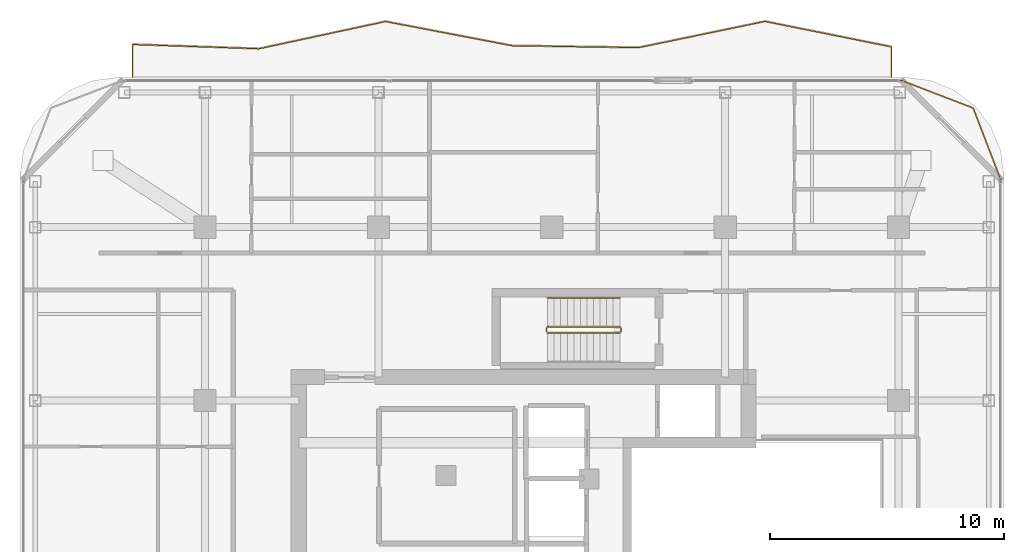
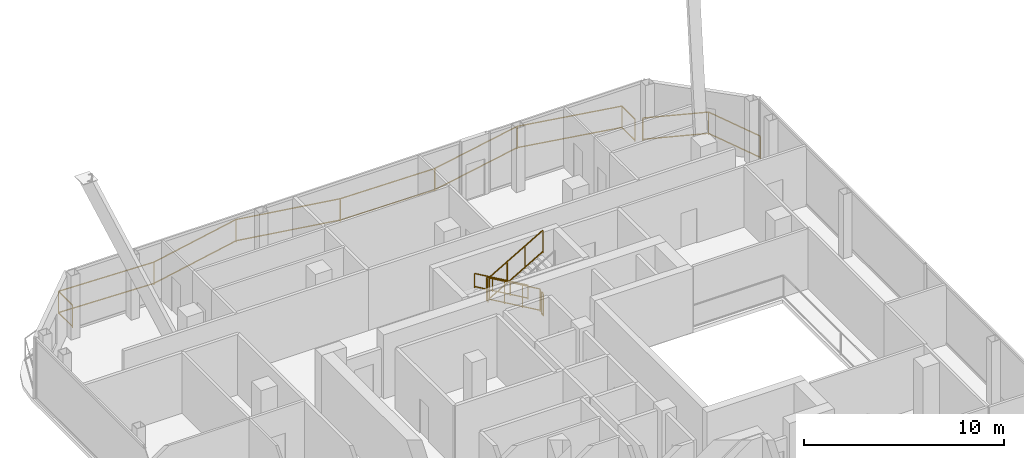
# One storey, part 24 of 24: 7 railings.
"""IFC4 building model written with IfcOpenShell, lengths in metres."""

from ifc_helpers import new_model, si_unit, direction, frame, origin, origin_2d, place, context, subcontext, project, spatial, rectangle, extrude, material, type_object, element, save


model = new_model("IFC4")

# Units and contexts
model_context = context("Model", 3, precision=1e-05, world=origin(), true_north=direction((0.0, 1.0)))
body_context = subcontext(model_context, "Body", "Model", "MODEL_VIEW")
ifc_project = project(units=[si_unit("LENGTHUNIT", "METRE"), si_unit("AREAUNIT", "SQUARE_METRE"), si_unit("VOLUMEUNIT", "CUBIC_METRE"), si_unit("PLANEANGLEUNIT", "RADIAN"), si_unit("MASSUNIT", "GRAM", prefix="KILO")], contexts=[model_context])

# Site, building, storey
site_placement = place(None, origin())
site = spatial("IfcSite", under=ifc_project, at=site_placement, CompositionType="ELEMENT")
building_placement = place(site_placement, origin())
building = spatial("IfcBuilding", under=site, at=building_placement, Name="Khorvyn Point Tower", CompositionType="ELEMENT")
storey_placement = place(building_placement, frame((0.0, 0.0, 301.5)))
storey = spatial("IfcBuildingStorey", under=building, at=storey_placement, Name="L74", CompositionType="ELEMENT", Elevation=301.5)

# Railings
ifc_material_1 = material(Name="Anodised aluminium 6063-T6 and laminated safety glass", Category="aluminium")
railing_type_1 = type_object("IfcRailingType", Name="Laminated Glass and Aluminium Balcony Guardrail 1400", PredefinedType="BALUSTRADE", material=ifc_material_1)
railing_1_placement = place(storey_placement, frame((19.17431640625, 16.78662109375, 0.0)))
element("IfcRailing", 1, at=railing_1_placement, inside=storey, type_object=railing_type_1, Name="L74 Rounded Corner Edge Guardrail NE", PredefinedType="BALUSTRADE", context=body_context, shape_type="SweptSolid", body=[
    extrude(rectangle(XDim=0.048095703125, YDim=0.048095703125, at=origin_2d()), frame((0.0, 0.0, 1.3759765625), z_axis=(-0.358328295484, 0.933595647299, 0.0), x_axis=(-0.933595647299, -0.358328295484, 0.0)), (0.0, 0.0, 1.0), 3.31884765625),
    extrude(rectangle(XDim=0.048095703125, YDim=0.048095703125, at=origin_2d()), frame((0.0, 0.0, 0.080078125), z_axis=(-0.358328295484, 0.933595647299, 0.0), x_axis=(-0.933595647299, -0.358328295484, 0.0)), (0.0, 0.0, 1.0), 3.31884765625),
    extrude(rectangle(XDim=0.048095703125, YDim=0.048095703125, at=origin_2d()), frame((-1.189208984375, 3.098388671875, 1.3759765625), z_axis=(-0.933580483903, 0.358367799998, 0.0), x_axis=(-0.358367799998, -0.933580483903, 0.0)), (0.0, 0.0, 1.0), 3.319091796875),
    extrude(rectangle(XDim=0.048095703125, YDim=0.048095703125, at=origin_2d()), frame((-1.189208984375, 3.098388671875, 0.080078125), z_axis=(-0.933580483903, 0.358367799998, 0.0), x_axis=(-0.358367799998, -0.933580483903, 0.0)), (0.0, 0.0, 1.0), 3.319091796875),
    extrude(rectangle(XDim=0.0419921875, YDim=0.0419921875, at=origin_2d()), origin(), (0.0, 0.0, 1.0), 1.351806640625),
    extrude(rectangle(XDim=0.0419921875, YDim=0.0419921875, at=origin_2d()), frame((-1.189208984375, 3.098388671875, 0.0)), (0.0, 0.0, 1.0), 1.351806640625),
    extrude(rectangle(XDim=0.0419921875, YDim=0.0419921875, at=origin_2d()), frame((-4.287841796875, 4.287841796875, 0.0)), (0.0, 0.0, 1.0), 1.351806640625),
])
railing_2_placement = place(storey_placement, frame((14.5, 21.199951171875, 0.0)))
element("IfcRailing", 2, at=railing_2_placement, inside=storey, type_object=railing_type_1, Name="L74 North Balcony Guardrail", PredefinedType="BALUSTRADE", context=body_context, shape_type="SweptSolid", body=[
    extrude(rectangle(XDim=0.048095703125, YDim=0.048095703125, at=origin_2d()), frame((0.0, 0.0, 1.3759765625), z_axis=(0.0, 1.0, 0.0), x_axis=(-1.0, 0.0, 0.0)), (0.0, 0.0, 1.0), 1.295166015625),
    extrude(rectangle(XDim=0.048095703125, YDim=0.048095703125, at=origin_2d()), frame((0.0, 0.0, 0.080078125), z_axis=(0.0, 1.0, 0.0), x_axis=(-1.0, 0.0, 0.0)), (0.0, 0.0, 1.0), 1.295166015625),
    extrude(rectangle(XDim=0.048095703125, YDim=0.048095703125, at=origin_2d()), frame((0.0, 1.295166015625, 1.3759765625), z_axis=(-0.980329281504, 0.197368943419, 0.0), x_axis=(-0.197368943419, -0.980329281504, 0.0)), (0.0, 0.0, 1.0), 5.50830078125),
    extrude(rectangle(XDim=0.048095703125, YDim=0.048095703125, at=origin_2d()), frame((0.0, 1.295166015625, 0.080078125), z_axis=(-0.980329281504, 0.197368943419, 0.0), x_axis=(-0.197368943419, -0.980329281504, 0.0)), (0.0, 0.0, 1.0), 5.50830078125),
    extrude(rectangle(XDim=0.048095703125, YDim=0.048095703125, at=origin_2d()), frame((-5.39990234375, 2.38232421875, 1.3759765625), z_axis=(-0.979175531991, -0.203015461355, 0.0), x_axis=(0.203015461355, -0.979175531991, 0.0)), (0.0, 0.0, 1.0), 5.514892578125),
    extrude(rectangle(XDim=0.048095703125, YDim=0.048095703125, at=origin_2d()), frame((-5.39990234375, 2.38232421875, 0.080078125), z_axis=(-0.979175531991, -0.203015461355, 0.0), x_axis=(0.203015461355, -0.979175531991, 0.0)), (0.0, 0.0, 1.0), 5.514892578125),
    extrude(rectangle(XDim=0.048095703125, YDim=0.048095703125, at=origin_2d()), frame((-10.800048828125, 1.2626953125, 1.3759765625), z_axis=(-0.999882564018, 0.015325083154, 0.0), x_axis=(-0.015325083154, -0.999882564018, 0.0)), (0.0, 0.0, 1.0), 5.400634765625),
    extrude(rectangle(XDim=0.048095703125, YDim=0.048095703125, at=origin_2d()), frame((-10.800048828125, 1.2626953125, 0.080078125), z_axis=(-0.999882564018, 0.015325083154, 0.0), x_axis=(-0.015325083154, -0.999882564018, 0.0)), (0.0, 0.0, 1.0), 5.400634765625),
    extrude(rectangle(XDim=0.048095703125, YDim=0.048095703125, at=origin_2d()), frame((-16.199951171875, 1.345458984375, 1.3759765625), z_axis=(-0.982184324224, 0.187920071437, 0.0), x_axis=(-0.187920071437, -0.982184324224, 0.0)), (0.0, 0.0, 1.0), 5.498046875),
    extrude(rectangle(XDim=0.048095703125, YDim=0.048095703125, at=origin_2d()), frame((-16.199951171875, 1.345458984375, 0.080078125), z_axis=(-0.982184324224, 0.187920071437, 0.0), x_axis=(-0.187920071437, -0.982184324224, 0.0)), (0.0, 0.0, 1.0), 5.498046875),
    extrude(rectangle(XDim=0.048095703125, YDim=0.048095703125, at=origin_2d()), frame((-21.60009765625, 2.378662109375, 1.3759765625), z_axis=(-0.977598853803, -0.210476794548, 0.0), x_axis=(0.210476794548, -0.977598853803, 0.0)), (0.0, 0.0, 1.0), 5.523681640625),
    extrude(rectangle(XDim=0.048095703125, YDim=0.048095703125, at=origin_2d()), frame((-21.60009765625, 2.378662109375, 0.080078125), z_axis=(-0.977598853803, -0.210476794548, 0.0), x_axis=(0.210476794548, -0.977598853803, 0.0)), (0.0, 0.0, 1.0), 5.523681640625),
    extrude(rectangle(XDim=0.048095703125, YDim=0.048095703125, at=origin_2d()), frame((-27.0, 1.216064453125, 1.3759765625), z_axis=(-0.999434730171, 0.033618746688, 0.0), x_axis=(-0.033618746688, -0.999434730171, 0.0)), (0.0, 0.0, 1.0), 5.403076171875),
    extrude(rectangle(XDim=0.048095703125, YDim=0.048095703125, at=origin_2d()), frame((-27.0, 1.216064453125, 0.080078125), z_axis=(-0.999434730171, 0.033618746688, 0.0), x_axis=(-0.033618746688, -0.999434730171, 0.0)), (0.0, 0.0, 1.0), 5.403076171875),
    extrude(rectangle(XDim=0.048095703125, YDim=0.048095703125, at=origin_2d()), frame((-32.39990234375, 1.397705078125, 1.3759765625), z_axis=(0.0, -1.0, 0.0), x_axis=(1.0, 0.0, 0.0)), (0.0, 0.0, 1.0), 1.397705078125),
    extrude(rectangle(XDim=0.048095703125, YDim=0.048095703125, at=origin_2d()), frame((-32.39990234375, 1.397705078125, 0.080078125), z_axis=(0.0, -1.0, 0.0), x_axis=(1.0, 0.0, 0.0)), (0.0, 0.0, 1.0), 1.397705078125),
    extrude(rectangle(XDim=0.0419921875, YDim=0.0419921875, at=origin_2d()), origin(), (0.0, 0.0, 1.0), 1.351806640625),
    extrude(rectangle(XDim=0.0419921875, YDim=0.0419921875, at=origin_2d()), frame((0.0, 1.295166015625, 0.0)), (0.0, 0.0, 1.0), 1.351806640625),
    extrude(rectangle(XDim=0.0419921875, YDim=0.0419921875, at=origin_2d()), frame((-5.39990234375, 2.38232421875, 0.0)), (0.0, 0.0, 1.0), 1.351806640625),
    extrude(rectangle(XDim=0.0419921875, YDim=0.0419921875, at=origin_2d()), frame((-10.800048828125, 1.2626953125, 0.0)), (0.0, 0.0, 1.0), 1.351806640625),
    extrude(rectangle(XDim=0.0419921875, YDim=0.0419921875, at=origin_2d()), frame((-16.199951171875, 1.345458984375, 0.0)), (0.0, 0.0, 1.0), 1.351806640625),
    extrude(rectangle(XDim=0.0419921875, YDim=0.0419921875, at=origin_2d()), frame((-21.60009765625, 2.378662109375, 0.0)), (0.0, 0.0, 1.0), 1.351806640625),
    extrude(rectangle(XDim=0.0419921875, YDim=0.0419921875, at=origin_2d()), frame((-27.0, 1.216064453125, 0.0)), (0.0, 0.0, 1.0), 1.351806640625),
    extrude(rectangle(XDim=0.0419921875, YDim=0.0419921875, at=origin_2d()), frame((-32.39990234375, 1.397705078125, 0.0)), (0.0, 0.0, 1.0), 1.351806640625),
    extrude(rectangle(XDim=0.0419921875, YDim=0.0419921875, at=origin_2d()), frame((-32.39990234375, 0.0, 0.0)), (0.0, 0.0, 1.0), 1.351806640625),
])
ifc_material_2 = material(Name="Stainless steel 1.4301", Category="steel")
railing_type_2 = type_object("IfcRailingType", Name="Stainless Steel 304 Stair Pitch Handrail 900", PredefinedType="HANDRAIL", material=ifc_material_2)
railing_3_placement = place(storey_placement, frame((2.89990234375, 11.77001953125, 0.16259765625)))
element("IfcRailing", 3, at=railing_3_placement, inside=storey, type_object=railing_type_2, Name="L74 ST-02 stair handrail 1", PredefinedType="HANDRAIL", context=body_context, shape_type="SweptSolid", body=[
    extrude(rectangle(XDim=0.048095703125, YDim=0.048095703125, at=origin_2d()), frame((0.0, 0.0, 0.8759765625), z_axis=(-0.864903211148, 0.0, 0.501938676878), x_axis=(0.0, -1.0, 0.0)), (0.0, 0.0, 1.0), 3.560791015625),
    extrude(rectangle(XDim=0.048095703125, YDim=0.048095703125, at=origin_2d()), frame((0.0, 0.0, 0.080078125), z_axis=(-0.864903211148, 0.0, 0.501938676878), x_axis=(0.0, -1.0, 0.0)), (0.0, 0.0, 1.0), 3.560791015625),
    extrude(rectangle(XDim=0.0419921875, YDim=0.0419921875, at=origin_2d()), origin(), (0.0, 0.0, 1.0), 0.851806640625),
    extrude(rectangle(XDim=0.0419921875, YDim=0.0419921875, at=origin_2d()), frame((-1.026611328125, 0.0, 0.595703125)), (0.0, 0.0, 1.0), 0.851806640625),
    extrude(rectangle(XDim=0.0419921875, YDim=0.0419921875, at=origin_2d()), frame((-2.05322265625, 0.0, 1.191650390625)), (0.0, 0.0, 1.0), 0.851806640625),
    extrude(rectangle(XDim=0.0419921875, YDim=0.0419921875, at=origin_2d()), frame((-3.079833984375, 0.0, 1.787353515625)), (0.0, 0.0, 1.0), 0.851806640625),
])
railing_type_3 = type_object("IfcRailingType", Name="Stainless Steel 304 Stair Well Guardrail 1400", PredefinedType="GUARDRAIL", material=ifc_material_2)
railing_4_placement = place(storey_placement, frame((2.89990234375, 10.550048828125, 0.16259765625)))
element("IfcRailing", 4, at=railing_4_placement, inside=storey, type_object=railing_type_3, Name="L74 ST-02 stair guard 1", PredefinedType="GUARDRAIL", context=body_context, shape_type="SweptSolid", body=[
    extrude(rectangle(XDim=0.048095703125, YDim=0.048095703125, at=origin_2d()), frame((0.0, 0.0, 1.3759765625), z_axis=(-0.864903211148, 0.0, 0.501938676878), x_axis=(0.0, -1.0, 0.0)), (0.0, 0.0, 1.0), 3.560791015625),
    extrude(rectangle(XDim=0.048095703125, YDim=0.048095703125, at=origin_2d()), frame((0.0, 0.0, 0.080078125), z_axis=(-0.864903211148, 0.0, 0.501938676878), x_axis=(0.0, -1.0, 0.0)), (0.0, 0.0, 1.0), 3.560791015625),
    extrude(rectangle(XDim=0.0419921875, YDim=0.0419921875, at=origin_2d()), origin(), (0.0, 0.0, 1.0), 1.351806640625),
    extrude(rectangle(XDim=0.0419921875, YDim=0.0419921875, at=origin_2d()), frame((-1.026611328125, 0.0, 0.595703125)), (0.0, 0.0, 1.0), 1.351806640625),
    extrude(rectangle(XDim=0.0419921875, YDim=0.0419921875, at=origin_2d()), frame((-2.05322265625, 0.0, 1.191650390625)), (0.0, 0.0, 1.0), 1.351806640625),
    extrude(rectangle(XDim=0.0419921875, YDim=0.0419921875, at=origin_2d()), frame((-3.079833984375, 0.0, 1.787353515625)), (0.0, 0.0, 1.0), 1.351806640625),
])
railing_5_placement = place(storey_placement, frame((-0.22998046875, 10.5, 1.949951171875)))
element("IfcRailing", 5, at=railing_5_placement, inside=storey, type_object=railing_type_3, Name="L74 ST-02 stair guard 2", PredefinedType="GUARDRAIL", context=body_context, shape_type="SweptSolid", body=[
    extrude(rectangle(XDim=0.048095703125, YDim=0.048095703125, at=origin_2d()), frame((0.0, 0.0, 1.3759765625), z_axis=(0.0, -1.0, 0.0), x_axis=(1.0, 0.0, 0.0)), (0.0, 0.0, 1.0), 0.159912109375),
    extrude(rectangle(XDim=0.048095703125, YDim=0.048095703125, at=origin_2d()), frame((0.0, 0.0, 0.080078125), z_axis=(0.0, -1.0, 0.0), x_axis=(1.0, 0.0, 0.0)), (0.0, 0.0, 1.0), 0.159912109375),
    extrude(rectangle(XDim=0.0419921875, YDim=0.0419921875, at=origin_2d()), origin(), (0.0, 0.0, 1.0), 1.351806640625),
    extrude(rectangle(XDim=0.0419921875, YDim=0.0419921875, at=origin_2d()), frame((0.0, -0.159912109375, 0.0)), (0.0, 0.0, 1.0), 1.351806640625),
])
railing_6_placement = place(storey_placement, frame((-0.179931640625, 10.2900390625, 2.112548828125)))
element("IfcRailing", 6, at=railing_6_placement, inside=storey, type_object=railing_type_3, Name="L74 ST-02 stair guard 3", PredefinedType="GUARDRAIL", context=body_context, shape_type="SweptSolid", body=[
    extrude(rectangle(XDim=0.048095703125, YDim=0.048095703125, at=origin_2d()), frame((0.0, 0.0, 1.3759765625), z_axis=(0.864903211148, 0.0, 0.501938676878), x_axis=(0.0, 1.0, 0.0)), (0.0, 0.0, 1.0), 3.560791015625),
    extrude(rectangle(XDim=0.048095703125, YDim=0.048095703125, at=origin_2d()), frame((0.0, 0.0, 0.080078125), z_axis=(0.864903211148, 0.0, 0.501938676878), x_axis=(0.0, 1.0, 0.0)), (0.0, 0.0, 1.0), 3.560791015625),
    extrude(rectangle(XDim=0.0419921875, YDim=0.0419921875, at=origin_2d()), origin(), (0.0, 0.0, 1.0), 1.351806640625),
    extrude(rectangle(XDim=0.0419921875, YDim=0.0419921875, at=origin_2d()), frame((1.026611328125, 0.0, 0.595703125)), (0.0, 0.0, 1.0), 1.351806640625),
    extrude(rectangle(XDim=0.0419921875, YDim=0.0419921875, at=origin_2d()), frame((2.05322265625, 0.0, 1.191650390625)), (0.0, 0.0, 1.0), 1.351806640625),
    extrude(rectangle(XDim=0.0419921875, YDim=0.0419921875, at=origin_2d()), frame((3.079833984375, 0.0, 1.787353515625)), (0.0, 0.0, 1.0), 1.351806640625),
])
railing_7_placement = place(storey_placement, frame((2.949951171875, 10.5, 0.0)))
element("IfcRailing", 7, at=railing_7_placement, inside=storey, type_object=railing_type_3, Name="L74 ST-02 stair guard 4", PredefinedType="GUARDRAIL", context=body_context, shape_type="SweptSolid", body=[
    extrude(rectangle(XDim=0.048095703125, YDim=0.048095703125, at=origin_2d()), frame((0.0, 0.0, 1.3759765625), z_axis=(0.0, -1.0, 0.0), x_axis=(1.0, 0.0, 0.0)), (0.0, 0.0, 1.0), 0.159912109375),
    extrude(rectangle(XDim=0.048095703125, YDim=0.048095703125, at=origin_2d()), frame((0.0, 0.0, 0.080078125), z_axis=(0.0, -1.0, 0.0), x_axis=(1.0, 0.0, 0.0)), (0.0, 0.0, 1.0), 0.159912109375),
    extrude(rectangle(XDim=0.0419921875, YDim=0.0419921875, at=origin_2d()), origin(), (0.0, 0.0, 1.0), 1.351806640625),
    extrude(rectangle(XDim=0.0419921875, YDim=0.0419921875, at=origin_2d()), frame((0.0, -0.159912109375, 0.0)), (0.0, 0.0, 1.0), 1.351806640625),
])

save(model, "model.ifc")
